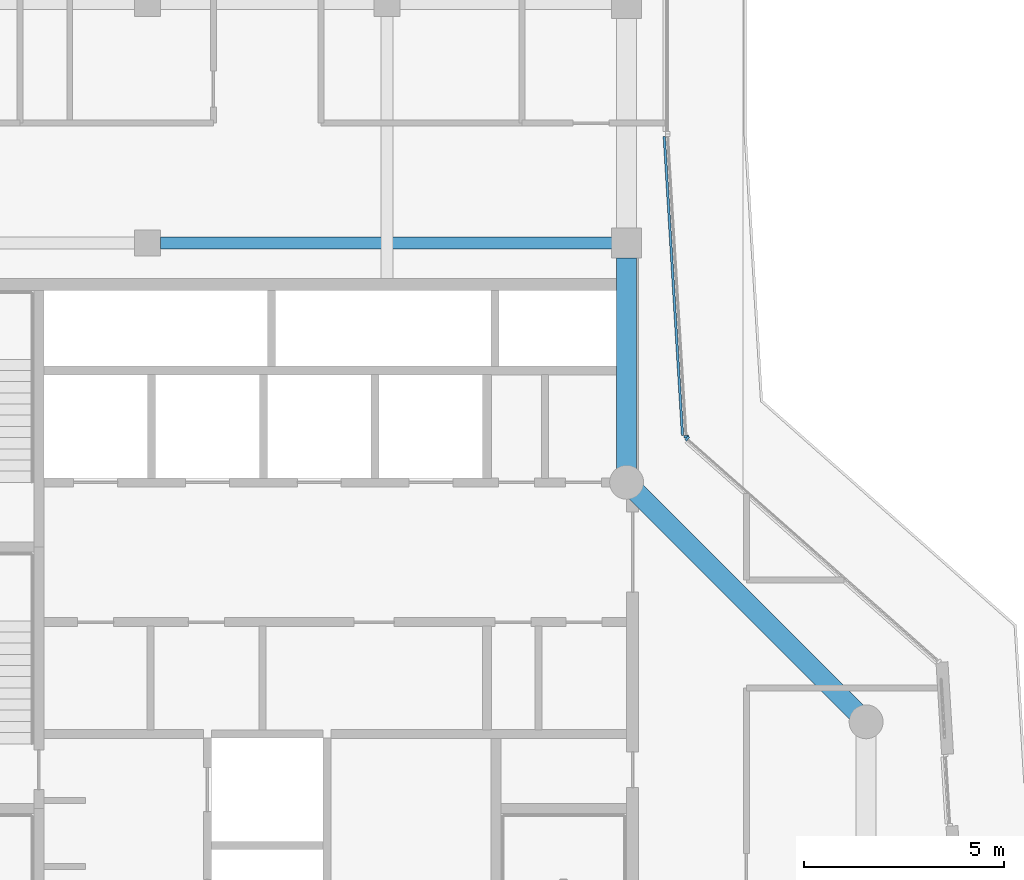
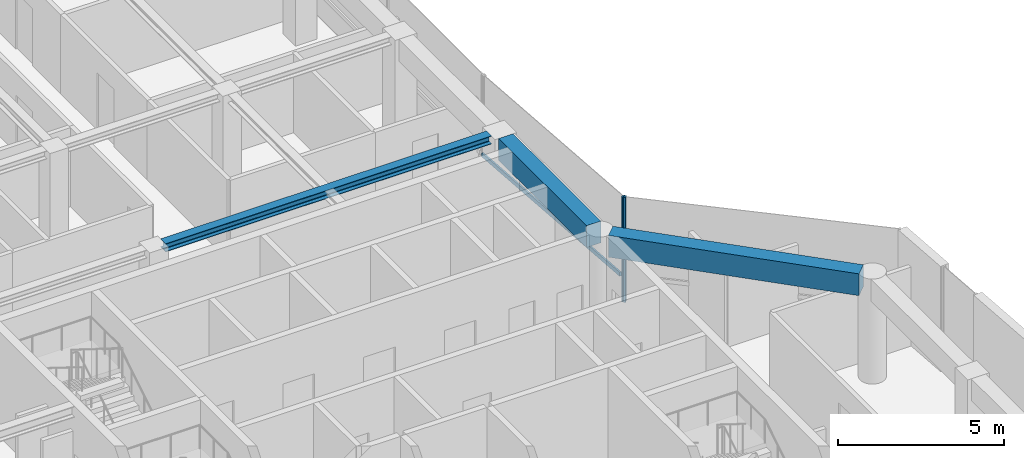
# One storey, part 5 of 21: 3 beams, 3 members, 2 elements without a shape of their own.
"""IFC4 building model written with IfcOpenShell, lengths in metres."""

from ifc_helpers import new_model, si_unit, direction, frame, origin, origin_2d, place, context, subcontext, project, spatial, rectangle, i_section, extrude, material, layer, layer_set, material_profile, profile_set, type_object, element, aggregate, save


model = new_model("IFC4")

# Units and contexts
model_context = context("Model", 3, precision=1e-05, world=origin(), true_north=direction((0.0, 1.0)))
body_context = subcontext(model_context, "Body", "Model", "MODEL_VIEW")
ifc_project = project(units=[si_unit("LENGTHUNIT", "METRE"), si_unit("AREAUNIT", "SQUARE_METRE"), si_unit("VOLUMEUNIT", "CUBIC_METRE"), si_unit("PLANEANGLEUNIT", "RADIAN"), si_unit("MASSUNIT", "GRAM", prefix="KILO")], contexts=[model_context])

# Site, building, storey
site_placement = place(None, origin())
site = spatial("IfcSite", under=ifc_project, at=site_placement, CompositionType="ELEMENT")
building_placement = place(site_placement, origin())
building = spatial("IfcBuilding", under=site, at=building_placement, Name="Welwitschia Terrace Campus", CompositionType="ELEMENT")
storey_placement = place(building_placement, frame((0.0, 0.0, 302.0)))
storey = spatial("IfcBuildingStorey", under=building, at=storey_placement, Name="L67", CompositionType="ELEMENT", Elevation=302.0)

# Beam
ifc_material_1 = material(Name="Steel S355", Category="steel")
ifc_material_profile_1 = material_profile(ifc_material_1, i_section(OverallWidth=0.300048828125, OverallDepth=0.300048828125, WebThickness=0.010986328125, FlangeThickness=0.01904296875, FilletRadius=0.027099609375, at=origin_2d()))
ifc_profile_set_1 = profile_set([ifc_material_profile_1], Name="Steel S355")
beam_type_1 = type_object("IfcBeamType", Name="Interior girder HE 300 B", PredefinedType="BEAM", material=ifc_profile_set_1)
beam_1_placement = place(storey_placement, frame((12.325439453125, 26.0, 3.699951171875), z_axis=(1.0, 0.0, 0.0), x_axis=(0.0, 1.0, 0.0)))
element("IfcBeam", 1, at=beam_1_placement, inside=storey, type_object=beam_type_1, Name="Girder GB6", PredefinedType="BEAM", context=body_context, shape_type="SweptSolid", body=[
    extrude(i_section(OverallWidth=0.300048828125, OverallDepth=0.300048828125, WebThickness=0.010986328125, FlangeThickness=0.01904296875, FilletRadius=0.027099609375, at=origin_2d()), origin(), (0.0, 0.0, 1.0), 11.30908203125),
])

# Curtain wall, member
ifc_material_2 = material(Name="Bronze anodised aluminium", Category="aluminium")
ifc_layer = layer(ifc_material_2, 0.1201171875)
ifc_layer_set = layer_set([ifc_layer], Name="Bronze anodised aluminium")
curtain_wall_type = type_object("IfcCurtainWallType", Name="Curtain wall CW2 tower 6000", PredefinedType="NOTDEFINED", material=ifc_layer_set)
curtain_wall_1_placement = place(storey_placement, origin())
curtain_wall_1 = element("IfcCurtainWall", 2, at=curtain_wall_1_placement, inside=storey, type_object=curtain_wall_type, Name="CW L67.4.0", PredefinedType="NOTDEFINED")
ifc_material_3 = material(Name="Bronze anodised aluminium", Category="aluminium")
ifc_material_profile_2 = material_profile(ifc_material_3, rectangle(XDim=0.1201171875, YDim=0.06005859375, at=origin_2d()))
ifc_profile_set_2 = profile_set([ifc_material_profile_2], Name="Bronze anodised aluminium")
member_type_1 = type_object("IfcMemberType", Name="Mullion 60x120", PredefinedType="MULLION", material=ifc_profile_set_2)
member_1_placement = place(storey_placement, frame((25.517822265625, 21.0966796875, 0.0), z_axis=(0.0, 0.0, 1.0), x_axis=(-0.662620048216, -0.748955720789, 0.0)))
member_1 = element("IfcMember", 3, at=member_1_placement, type_object=member_type_1, Name="Mullion L67.4.0.1", PredefinedType="MULLION", context=body_context, shape_type="SweptSolid", body=[
    extrude(rectangle(XDim=0.1201171875, YDim=0.06005859375, at=origin_2d()), origin(), (0.0, 0.0, 1.0), 3.85009765625),
])
aggregate(curtain_wall_1, [member_1])

curtain_wall_2_placement = place(storey_placement, origin())
curtain_wall_2 = element("IfcCurtainWall", 4, at=curtain_wall_2_placement, inside=storey, type_object=curtain_wall_type, Name="CW L67.5.0", PredefinedType="NOTDEFINED")
member_2_placement = place(storey_placement, frame((25.49365234375, 21.146484375, 0.0), z_axis=(0.0, 0.0, 1.0), x_axis=(-0.998134798422, -0.061048539535, 0.0)))
member_2 = element("IfcMember", 5, at=member_2_placement, type_object=member_type_1, Name="Mullion L67.5.0.0", PredefinedType="MULLION", context=body_context, shape_type="SweptSolid", body=[
    extrude(rectangle(XDim=0.1201171875, YDim=0.06005859375, at=origin_2d()), origin(), (0.0, 0.0, 1.0), 3.85009765625),
])

# Beams
ifc_material_4 = material(Name="Concrete C50/60", Category="concrete")
ifc_material_profile_3 = material_profile(ifc_material_4, rectangle(XDim=0.5, YDim=0.800048828125, at=origin_2d()))
ifc_profile_set_3 = profile_set([ifc_material_profile_3], Name="Concrete C50/60")
beam_type_2 = type_object("IfcBeamType", Name="Ring spandrel 500x800", PredefinedType="SPANDREL", material=ifc_profile_set_3)
beam_2_placement = place(storey_placement, frame((29.75634765625, 14.24365234375, 3.449951171875), z_axis=(-0.707106781187, 0.707106781187, 0.0), x_axis=(-0.707106781187, -0.707106781187, 0.0)))
element("IfcBeam", 6, at=beam_2_placement, inside=storey, type_object=beam_type_2, Name="Spandrel SP4", PredefinedType="SPANDREL", context=body_context, shape_type="SweptSolid", body=[
    extrude(rectangle(XDim=0.5, YDim=0.800048828125, at=origin_2d()), origin(), (0.0, 0.0, 1.0), 7.796142578125),
])
beam_3_placement = place(storey_placement, frame((24.0, 20.344482421875, 3.449951171875), z_axis=(0.0, 1.0, 0.0), x_axis=(-1.0, 0.0, 0.0)))
element("IfcBeam", 7, at=beam_3_placement, inside=storey, type_object=beam_type_2, Name="Spandrel SP4", PredefinedType="SPANDREL", context=body_context, shape_type="SweptSolid", body=[
    extrude(rectangle(XDim=0.5, YDim=0.800048828125, at=origin_2d()), origin(), (0.0, 0.0, 1.0), 5.280029296875),
])

# Member
ifc_material_5 = material(Name="Bronze anodised aluminium", Category="aluminium")
ifc_material_profile_4 = material_profile(ifc_material_5, rectangle(XDim=0.06005859375, YDim=0.14990234375, at=origin_2d()))
ifc_profile_set_4 = profile_set([ifc_material_profile_4], Name="Bronze anodised aluminium")
member_type_2 = type_object("IfcMemberType", Name="Transom 60x150", PredefinedType="USERDEFINED", material=ifc_profile_set_4)
member_3_placement = place(storey_placement, frame((25.40185546875, 21.1708984375, 1.0), z_axis=(-0.061037296167, 0.998135486032, 0.0), x_axis=(-0.998135486032, -0.061037296167, 0.0)))
member_3 = element("IfcMember", 8, at=member_3_placement, type_object=member_type_2, Name="Transom L67.5.0", ObjectType="TRANSOM", PredefinedType="USERDEFINED", context=body_context, shape_type="SweptSolid", body=[
    extrude(rectangle(XDim=0.06005859375, YDim=0.14990234375, at=origin_2d()), origin(), (0.0, 0.0, 1.0), 7.503662109375),
])

aggregate(curtain_wall_2, [member_2, member_3])

save(model, "model.ifc")
